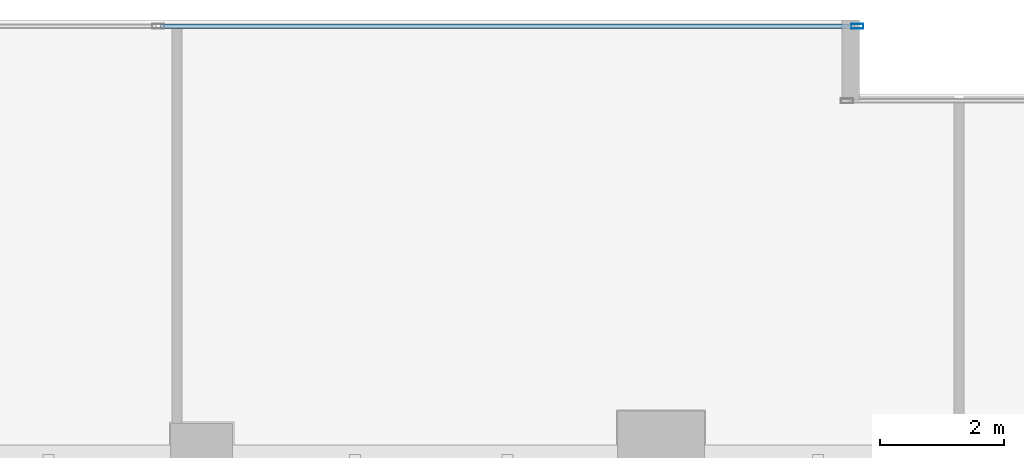
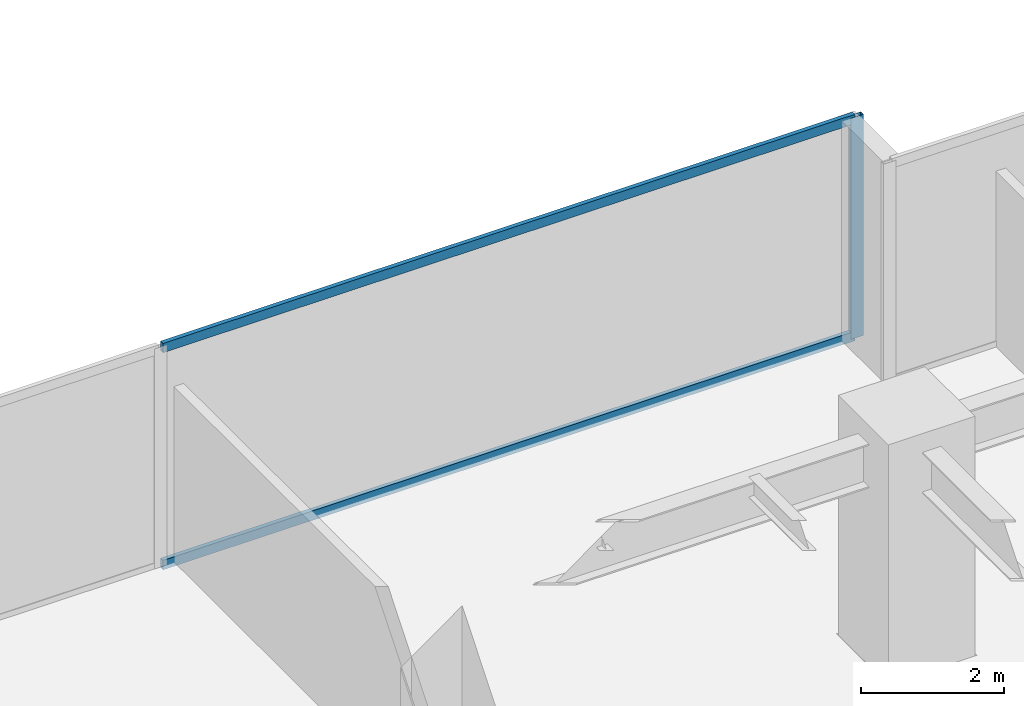
# One storey, part 16 of 36: 3 members, 1 element without a shape of its own.
"""IFC4 building model written with IfcOpenShell, lengths in metres."""

from ifc_helpers import new_model, si_unit, direction, frame, origin, origin_2d, place, context, subcontext, project, spatial, hollow_rectangle, extrude, source, transform, mapped, material, layer, layer_set, material_profile, profile_set, type_object, type_shapes, element, aggregate, save


model = new_model("IFC4")

# Units and contexts
model_context = context("Model", 3, precision=1e-05, world=origin(), true_north=direction((0.0, 1.0)))
body_context = subcontext(model_context, "Body", "Model", "MODEL_VIEW")
ifc_project = project(units=[si_unit("LENGTHUNIT", "METRE"), si_unit("AREAUNIT", "SQUARE_METRE"), si_unit("VOLUMEUNIT", "CUBIC_METRE"), si_unit("PLANEANGLEUNIT", "RADIAN"), si_unit("MASSUNIT", "GRAM", prefix="KILO")], contexts=[model_context])

# Site, building, storey
site_placement = place(None, origin())
site = spatial("IfcSite", under=ifc_project, at=site_placement, CompositionType="ELEMENT")
building_placement = place(site_placement, origin())
building = spatial("IfcBuilding", under=site, at=building_placement, Name="Haelvirn Gate Laboratories", CompositionType="ELEMENT")
storey_placement = place(building_placement, frame((0.0, 0.0, 49.800048828125)))
storey = spatial("IfcBuildingStorey", under=building, at=storey_placement, Name="L12", CompositionType="ELEMENT", Elevation=49.800048828125)

# Curtain wall, members
ifc_material_1 = material(Name="Anodised bronze unitised aluminium & triple low-E glass", Category="aluminium")
ifc_layer = layer(ifc_material_1, 0.18408203125, Name="CW-SYS-2")
ifc_layer_set = layer_set([ifc_layer], Name="Anodised bronze unitised aluminium & triple low-E glass")
curtain_wall_type = type_object("IfcCurtainWallType", Name="CW-SYS-2", PredefinedType="NOTDEFINED", material=ifc_layer_set)
curtain_wall_placement = place(storey_placement, origin())
curtain_wall = element("IfcCurtainWall", 1, at=curtain_wall_placement, inside=storey, type_object=curtain_wall_type, Name="L12 Unitised Curtain Wall CW-L12-P0-E14-1", PredefinedType="NOTDEFINED")
ifc_material_2 = material(Name="Extruded aluminium 6063-T6 (anodised bronze)", Category="aluminium")
ifc_material_profile_1 = material_profile(ifc_material_2, hollow_rectangle(XDim=0.074951171875, YDim=0.199951171875, WallThickness=0.0048828125, at=origin_2d()), Name="CWM-200x75x5")
ifc_profile_set_1 = profile_set([ifc_material_profile_1], Name="Extruded aluminium 6063-T6 (anodised bronze)")
member_type_1 = type_object("IfcMemberType", Name="CWM-T200", PredefinedType="MULLION", material=ifc_profile_set_1)
shared_shape_1 = source(origin(), body_context, "Body", "SweptSolid", [
    extrude(hollow_rectangle(XDim=0.074951171875, YDim=0.199951171875, WallThickness=0.0048828125, at=origin_2d()), origin(), (0.0, 0.0, 1.0), 3.780029296875),
])
type_shapes(member_type_1, [shared_shape_1])
member_1_placement = place(storey_placement, frame((25.362548828125, 48.5, 0.0), z_axis=(0.0, 0.0, 1.0), x_axis=(0.0, 1.0, 0.0)))
member_1 = element("IfcMember", 2, at=member_1_placement, type_object=member_type_1, Name="CW2 mullion 3", PredefinedType="MULLION", context=body_context, shape_type="MappedRepresentation", body=[
    mapped(shared_shape_1, transform((0.0, 0.0, 0.0), scale=1.0)),
])
ifc_material_profile_2 = material_profile(ifc_material_2, hollow_rectangle(XDim=0.070068359375, YDim=0.159912109375, WallThickness=0.0048828125, at=origin_2d()), Name="CWT-160x70x5")
ifc_profile_set_2 = profile_set([ifc_material_profile_2], Name="Extruded aluminium 6063-T6 (anodised bronze)")
member_type_2 = type_object("IfcMemberType", Name="CWT-T160", PredefinedType="USERDEFINED", material=ifc_profile_set_2)
shared_shape_2 = source(origin(), body_context, "Body", "SweptSolid", [
    extrude(hollow_rectangle(XDim=0.070068359375, YDim=0.159912109375, WallThickness=0.0048828125, at=origin_2d()), origin(), (0.0, 0.0, 1.0), 11.1875),
])
type_shapes(member_type_2, [shared_shape_2])
member_2_placement = place(storey_placement, frame((14.137451171875, 48.5, 0.034912109375), z_axis=(1.0, 0.0, 0.0), x_axis=(0.0, 1.0, 0.0)))
member_2 = element("IfcMember", 3, at=member_2_placement, type_object=member_type_2, Name="CW2 transom 2.1", ObjectType="TRANSOM", PredefinedType="USERDEFINED", context=body_context, shape_type="MappedRepresentation", body=[
    mapped(shared_shape_2, transform((0.0, 0.0, 0.0), scale=1.0)),
])
member_3_placement = place(storey_placement, frame((14.137451171875, 48.5, 3.744873046875), z_axis=(1.0, 0.0, 0.0), x_axis=(0.0, 1.0, 0.0)))
member_3 = element("IfcMember", 4, at=member_3_placement, type_object=member_type_2, Name="CW2 transom 2.2", ObjectType="TRANSOM", PredefinedType="USERDEFINED", context=body_context, shape_type="MappedRepresentation", body=[
    mapped(shared_shape_2, transform((0.0, 0.0, 0.0), scale=1.0)),
])
aggregate(curtain_wall, [member_1, member_2, member_3])

save(model, "model.ifc")
